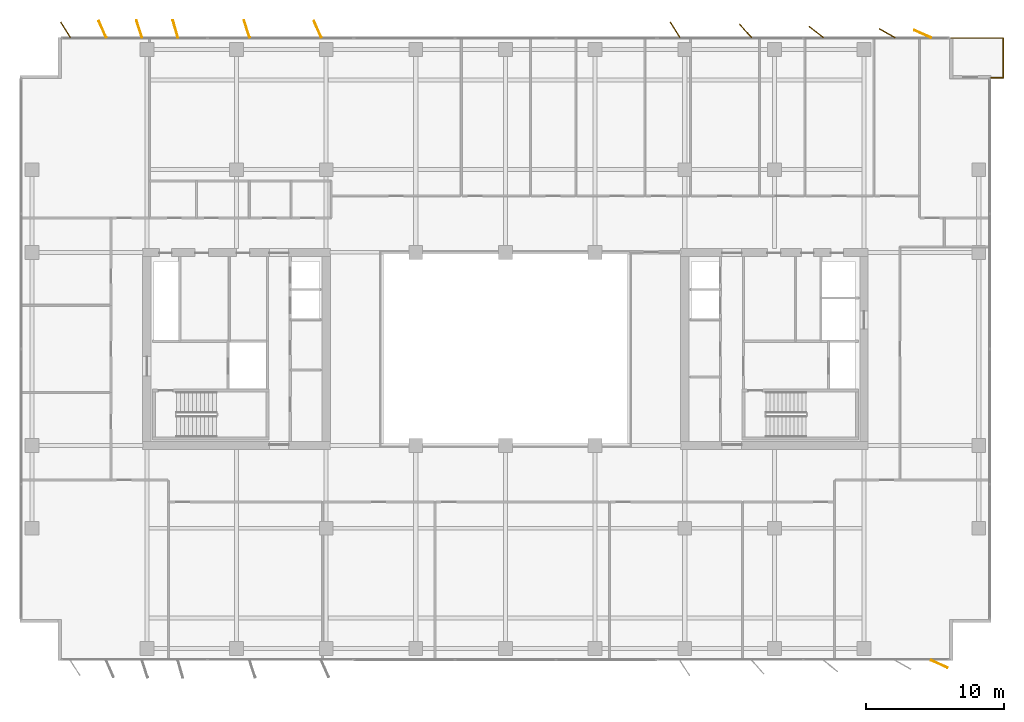
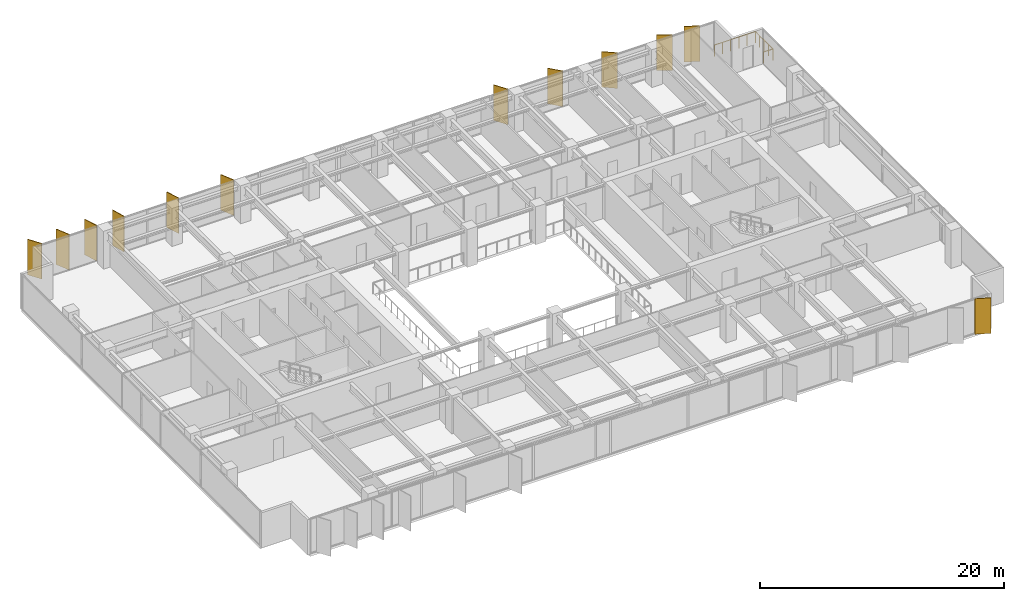
# One storey, part 22 of 22: 12 shading devices, 1 railing.
"""IFC4 building model written with IfcOpenShell, lengths in metres."""

from ifc_helpers import new_model, si_unit, direction, frame, origin, origin_2d, place, context, subcontext, project, spatial, rectangle, circle, extrude, material, layer, layer_set, type_object, element, save


model = new_model("IFC4")

# Units and contexts
model_context = context("Model", 3, precision=1e-05, world=origin(), true_north=direction((0.0, 1.0)))
body_context = subcontext(model_context, "Body", "Model", "MODEL_VIEW")
ifc_project = project(units=[si_unit("LENGTHUNIT", "METRE"), si_unit("AREAUNIT", "SQUARE_METRE"), si_unit("VOLUMEUNIT", "CUBIC_METRE"), si_unit("PLANEANGLEUNIT", "RADIAN"), si_unit("MASSUNIT", "GRAM", prefix="KILO")], contexts=[model_context])

# Site, building, storey
site_placement = place(None, origin())
site = spatial("IfcSite", under=ifc_project, at=site_placement, CompositionType="ELEMENT")
building_placement = place(site_placement, origin())
building = spatial("IfcBuilding", under=site, at=building_placement, Name="Putna Gate Headquarters", CompositionType="ELEMENT")
storey_placement = place(building_placement, frame((0.0, 0.0, 193.60009765625)))
storey = spatial("IfcBuildingStorey", under=building, at=storey_placement, Name="L48", CompositionType="ELEMENT", Elevation=193.60009765625)

# Railing
ifc_material_1 = material(Name="Anodised bronze steel and laminated glass guardrail", Category="steel")
railing_type = type_object("IfcRailingType", Name="RAIL-TERR-GUARD-1150", PredefinedType="GUARDRAIL", material=ifc_material_1)
railing_placement = place(storey_placement, frame((74.199951171875, 45.659912109375, 0.0)))
element("IfcRailing", 1, at=railing_placement, inside=storey, type_object=railing_type, Name="L48 Spiral Sky Terrace Guardrail NE", PredefinedType="GUARDRAIL", context=body_context, shape_type="SweptSolid", body=[
    extrude(circle(Radius=0.02392578125, at=origin_2d()), frame((0.0, 0.0, 1.1259765625), z_axis=(1.0, 0.0, 0.0), x_axis=(0.0, 1.0, 0.0)), (0.0, 0.0, 1.0), 0.89013671875),
    extrude(circle(Radius=0.02392578125, at=origin_2d()), frame((0.89013671875, 0.0, 1.1259765625), z_axis=(0.0, 1.0, 0.0), x_axis=(-1.0, 0.0, 0.0)), (0.0, 0.0, 1.0), 2.880126953125),
    extrude(circle(Radius=0.02392578125, at=origin_2d()), frame((0.89013671875, 2.880126953125, 1.1259765625), z_axis=(-1.0, 0.0, 0.0), x_axis=(0.0, -1.0, 0.0)), (0.0, 0.0, 1.0), 3.89013671875),
    extrude(circle(Radius=0.02099609375, at=origin_2d()), origin(), (0.0, 0.0, 1.0), 1.101806640625),
    extrude(circle(Radius=0.02099609375, at=origin_2d()), frame((0.89013671875, 0.0, 0.0)), (0.0, 0.0, 1.0), 1.101806640625),
    extrude(circle(Radius=0.02099609375, at=origin_2d()), frame((0.89013671875, 0.719970703125, 0.0)), (0.0, 0.0, 1.0), 1.101806640625),
    extrude(circle(Radius=0.02099609375, at=origin_2d()), frame((0.89013671875, 1.43994140625, 0.0)), (0.0, 0.0, 1.0), 1.101806640625),
    extrude(circle(Radius=0.02099609375, at=origin_2d()), frame((0.89013671875, 2.16015625, 0.0)), (0.0, 0.0, 1.0), 1.101806640625),
    extrude(circle(Radius=0.02099609375, at=origin_2d()), frame((0.89013671875, 2.880126953125, 0.0)), (0.0, 0.0, 1.0), 1.101806640625),
    extrude(circle(Radius=0.02099609375, at=origin_2d()), frame((0.112060546875, 2.880126953125, 0.0)), (0.0, 0.0, 1.0), 1.101806640625),
    extrude(circle(Radius=0.02099609375, at=origin_2d()), frame((-0.666015625, 2.880126953125, 0.0)), (0.0, 0.0, 1.0), 1.101806640625),
    extrude(circle(Radius=0.02099609375, at=origin_2d()), frame((-1.44384765625, 2.880126953125, 0.0)), (0.0, 0.0, 1.0), 1.101806640625),
    extrude(circle(Radius=0.02099609375, at=origin_2d()), frame((-2.221923828125, 2.880126953125, 0.0)), (0.0, 0.0, 1.0), 1.101806640625),
    extrude(circle(Radius=0.02099609375, at=origin_2d()), frame((-3.0, 2.880126953125, 0.0)), (0.0, 0.0, 1.0), 1.101806640625),
])

# Shading devices
ifc_material_2 = material(Name="Anodised architectural bronze aluminium fin", Category="aluminium")
ifc_layer = layer(ifc_material_2, 0.06494140625)
ifc_layer_set = layer_set([ifc_layer], Name="Anodised architectural bronze aluminium fin")
shading_device_type = type_object("IfcShadingDeviceType", Name="SHADE-BRONZE-FIN-1320", PredefinedType="USERDEFINED", material=ifc_layer_set)
for number, where, z_axis, x_axis, name in (
    (2, (7.099853515625, 49.134521484375, -0.02001953125), (0.0, 0.0, 1.0), (-0.530659123936, 0.847585331506, 0.0), "L48 Bronze Vertical Shading Fin N1"),
    (3, (9.78564453125, 49.1796875, -0.02001953125), (0.0, 0.0, 1.0), (-0.400668879095, 0.916222925562, 0.0), "L48 Bronze Vertical Shading Fin N2"),
    (4, (12.4462890625, 49.202880859375, -0.02001953125), (0.0, 0.0, 1.0), (-0.308684994204, 0.951164325631, 0.0), "L48 Bronze Vertical Shading Fin N3"),
    (5, (15.068115234375, 49.20947265625, -0.02001953125), (0.0, 0.0, 1.0), (-0.275637355817, 0.961261695938, 0.0), "L48 Bronze Vertical Shading Fin N4"),
    (6, (20.246337890625, 49.202880859375, -0.02001953125), (0.0, 0.0, 1.0), (-0.308684994204, 0.951164325631, 0.0), "L48 Bronze Vertical Shading Fin N5"),
    (7, (25.385498046875, 49.1796875, -0.02001953125), (0.0, 0.0, 1.0), (-0.400668879095, 0.916222925562, 0.0), "L48 Bronze Vertical Shading Fin N6"),
    (8, (51.2998046875, 49.134521484375, -0.02001953125), (0.0, 0.0, 1.0), (-0.530659123936, 0.847585331506, 0.0), "L48 Bronze Vertical Shading Fin N7"),
    (9, (56.408447265625, 49.0654296875, -0.02001953125), (0.0, 0.0, 1.0), (-0.669130606359, 0.743144825477, 0.0), "L48 Bronze Vertical Shading Fin N8"),
    (10, (61.5302734375, 48.981689453125, -0.02001953125), (0.0, 0.0, 1.0), (-0.787473187632, 0.616348909921, 0.0), "L48 Bronze Vertical Shading Fin N9"),
    (11, (66.67626953125, 48.901123046875, -0.02001953125), (0.0, 0.0, 1.0), (-0.869322458298, 0.494245347472, 0.0), "L48 Bronze Vertical Shading Fin N10"),
    (12, (70.452880859375, 3.15673828125, -0.02001953125), (0.0, 0.0, 1.0), (0.913687379856, -0.40641773078, 0.0), "L48 Bronze Vertical Shading Fin S11"),
    (13, (69.2470703125, 48.84326171875, -0.02001953125), (0.0, 0.0, 1.0), (-0.913687379856, 0.40641773078, 0.0), "L48 Bronze Vertical Shading Fin N11"),
):
    element("IfcShadingDevice", number, at=place(storey_placement, frame(where, z_axis=z_axis, x_axis=x_axis)), inside=storey, type_object=shading_device_type, Name=name, ObjectType="FIN", PredefinedType="USERDEFINED", context=body_context, shape_type="SweptSolid", body=[
        extrude(rectangle(XDim=1.320068359375, YDim=0.06494140625, at=origin_2d()), origin(), (0.0, 0.0, 1.0), 3.56005859375),
    ])

save(model, "model.ifc")
